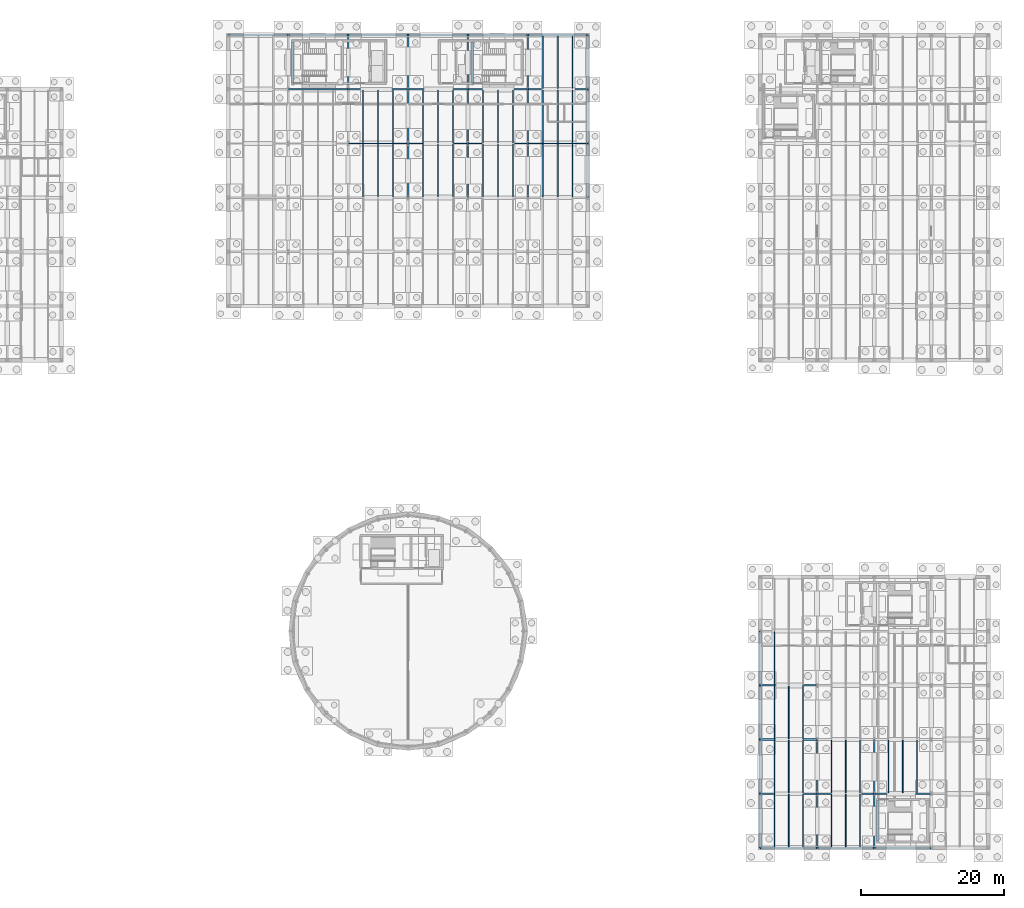
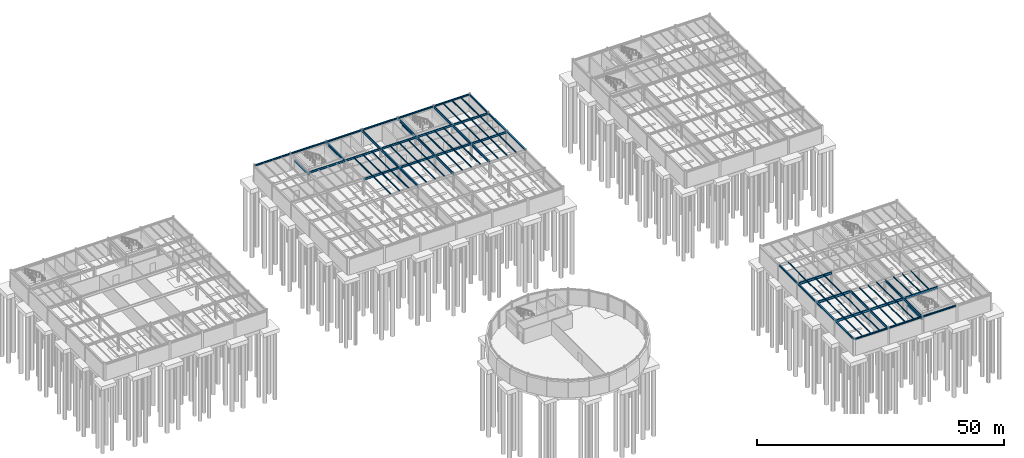
# One storey, part 21 of 33: 93 beams.
"""IFC4 building model written with IfcOpenShell, lengths in metres."""

from ifc_helpers import new_model, si_unit, direction, frame, origin, origin_2d, place, context, subcontext, project, spatial, rectangle, i_section, extrude, material, material_profile, profile_set, type_object, element, save


model = new_model("IFC4")

# Units and contexts
model_context = context("Model", 3, precision=1e-05, world=origin(), true_north=direction((0.0, 1.0)))
body_context = subcontext(model_context, "Body", "Model", "MODEL_VIEW")
ifc_project = project(units=[si_unit("LENGTHUNIT", "METRE"), si_unit("AREAUNIT", "SQUARE_METRE"), si_unit("VOLUMEUNIT", "CUBIC_METRE"), si_unit("PLANEANGLEUNIT", "RADIAN"), si_unit("MASSUNIT", "GRAM", prefix="KILO")], contexts=[model_context])

# Site, building, storey
site_placement = place(None, origin())
site = spatial("IfcSite", under=ifc_project, at=site_placement, CompositionType="ELEMENT")
building_placement = place(site_placement, origin())
building = spatial("IfcBuilding", under=site, at=building_placement, Name="Montecoro Central Library", CompositionType="ELEMENT")
storey_placement = place(building_placement, frame((0.0, 0.0, -4.419921875)))
storey = spatial("IfcBuildingStorey", under=building, at=storey_placement, Name="B1", CompositionType="ELEMENT", Elevation=-4.419921875)

# Beams
ifc_material_1 = material(Name="Steel S355", Category="steel")
ifc_material_profile_1 = material_profile(ifc_material_1, i_section(OverallWidth=0.199951171875, OverallDepth=0.5, WebThickness=0.01025390625, FlangeThickness=0.01611328125, at=origin_2d()), Name="IPE 500")
ifc_profile_set_1 = profile_set([ifc_material_profile_1], Name="Steel S355")
beam_type_1 = type_object("IfcBeamType", Name="BM-G-IPE500", PredefinedType="USERDEFINED", material=ifc_profile_set_1)
beam_1_placement = place(storey_placement, frame((83.205078125, 103.800048828125, 3.9150390625), z_axis=(1.0, 0.0, 0.0), x_axis=(0.0, 1.0, 0.0)))
element("IfcBeam", 1, at=beam_1_placement, inside=storey, type_object=beam_type_1, Name="V2-B1-BX-1112-P", ObjectType="GIRDER", PredefinedType="USERDEFINED", context=body_context, shape_type="SweptSolid", body=[
    extrude(i_section(OverallWidth=0.199951171875, OverallDepth=0.5, WebThickness=0.01025390625, FlangeThickness=0.01611328125, at=origin_2d()), origin(), (0.0, 0.0, 1.0), 8.389892578125),
])
for number, where, z_axis, x_axis, name in (
    (2, (91.60498046875, 103.800048828125, 3.9150390625), (1.0, 0.0, 0.0), (0.0, 1.0, 0.0), "V2-B1-BX-1213-P"),
    (3, (100.0048828125, 103.800048828125, 3.9150390625), (1.0, 0.0, 0.0), (0.0, 1.0, 0.0), "V2-B1-BX-1314-P"),
):
    element("IfcBeam", number, at=place(storey_placement, frame(where, z_axis=z_axis, x_axis=x_axis)), inside=storey, type_object=beam_type_1, Name=name, ObjectType="GIRDER", PredefinedType="USERDEFINED", context=body_context, shape_type="SweptSolid", body=[
        extrude(i_section(OverallWidth=0.199951171875, OverallDepth=0.5, WebThickness=0.01025390625, FlangeThickness=0.01611328125, at=origin_2d()), origin(), (0.0, 0.0, 1.0), 8.39013671875),
    ])
beam_2_placement = place(storey_placement, frame((108.405029296875, 103.800048828125, 3.9150390625), z_axis=(1.0, 0.0, 0.0), x_axis=(0.0, 1.0, 0.0)))
element("IfcBeam", 4, at=beam_2_placement, inside=storey, type_object=beam_type_1, Name="V2-B1-BX-1415-P", ObjectType="GIRDER", PredefinedType="USERDEFINED", context=body_context, shape_type="SweptSolid", body=[
    extrude(i_section(OverallWidth=0.199951171875, OverallDepth=0.5, WebThickness=0.01025390625, FlangeThickness=0.01611328125, at=origin_2d()), origin(), (0.0, 0.0, 1.0), 8.389892578125),
])
beam_3_placement = place(storey_placement, frame((74.804931640625, 111.39990234375, 3.9150390625), z_axis=(1.0, 0.0, 0.0), x_axis=(0.0, 1.0, 0.0)))
element("IfcBeam", 5, at=beam_3_placement, inside=storey, type_object=beam_type_1, Name="V2-B1-BX-1011-Q", ObjectType="GIRDER", PredefinedType="USERDEFINED", context=body_context, shape_type="SweptSolid", body=[
    extrude(i_section(OverallWidth=0.199951171875, OverallDepth=0.5, WebThickness=0.01025390625, FlangeThickness=0.01611328125, at=origin_2d()), origin(), (0.0, 0.0, 1.0), 8.39013671875),
])
beam_4_placement = place(storey_placement, frame((83.205078125, 111.39990234375, 3.9150390625), z_axis=(1.0, 0.0, 0.0), x_axis=(0.0, 1.0, 0.0)))
element("IfcBeam", 6, at=beam_4_placement, inside=storey, type_object=beam_type_1, Name="V2-B1-BX-1112-Q", ObjectType="GIRDER", PredefinedType="USERDEFINED", context=body_context, shape_type="SweptSolid", body=[
    extrude(i_section(OverallWidth=0.199951171875, OverallDepth=0.5, WebThickness=0.01025390625, FlangeThickness=0.01611328125, at=origin_2d()), origin(), (0.0, 0.0, 1.0), 8.389892578125),
])
for number, where, z_axis, x_axis, name in (
    (7, (91.60498046875, 111.39990234375, 3.9150390625), (1.0, 0.0, 0.0), (0.0, 1.0, 0.0), "V2-B1-BX-1213-Q"),
    (8, (100.0048828125, 111.39990234375, 3.9150390625), (1.0, 0.0, 0.0), (0.0, 1.0, 0.0), "V2-B1-BX-1314-Q"),
):
    element("IfcBeam", number, at=place(storey_placement, frame(where, z_axis=z_axis, x_axis=x_axis)), inside=storey, type_object=beam_type_1, Name=name, ObjectType="GIRDER", PredefinedType="USERDEFINED", context=body_context, shape_type="SweptSolid", body=[
        extrude(i_section(OverallWidth=0.199951171875, OverallDepth=0.5, WebThickness=0.01025390625, FlangeThickness=0.01611328125, at=origin_2d()), origin(), (0.0, 0.0, 1.0), 8.39013671875),
    ])
beam_5_placement = place(storey_placement, frame((108.405029296875, 111.39990234375, 3.9150390625), z_axis=(1.0, 0.0, 0.0), x_axis=(0.0, 1.0, 0.0)))
element("IfcBeam", 9, at=beam_5_placement, inside=storey, type_object=beam_type_1, Name="V2-B1-BX-1415-Q", ObjectType="GIRDER", PredefinedType="USERDEFINED", context=body_context, shape_type="SweptSolid", body=[
    extrude(i_section(OverallWidth=0.199951171875, OverallDepth=0.5, WebThickness=0.01025390625, FlangeThickness=0.01611328125, at=origin_2d()), origin(), (0.0, 0.0, 1.0), 8.389892578125),
])
ifc_material_2 = material(Name="Steel S355J2", Category="steel")
ifc_material_profile_2 = material_profile(ifc_material_2, i_section(OverallWidth=0.219970703125, OverallDepth=0.60009765625, WebThickness=0.011962890625, FlangeThickness=0.01904296875, at=origin_2d()), Name="IPE 600")
ifc_profile_set_2 = profile_set([ifc_material_profile_2], Name="Steel S355J2")
beam_type_2 = type_object("IfcBeamType", Name="BM-G-IPE600", PredefinedType="USERDEFINED", material=ifc_profile_set_2)
beam_6_placement = place(storey_placement, frame((83.199951171875, 111.405029296875, 3.864990234375), z_axis=(0.0, 1.0, 0.0), x_axis=(-1.0, 0.0, 0.0)))
element("IfcBeam", 10, at=beam_6_placement, inside=storey, type_object=beam_type_2, Name="V2-B1-BY-11-QR", ObjectType="GIRDER", PredefinedType="USERDEFINED", context=body_context, shape_type="SweptSolid", body=[
    extrude(i_section(OverallWidth=0.219970703125, OverallDepth=0.60009765625, WebThickness=0.011962890625, FlangeThickness=0.01904296875, at=origin_2d()), origin(), (0.0, 0.0, 1.0), 7.590087890625),
])
beam_7_placement = place(storey_placement, frame((91.60009765625, 96.205078125, 3.864990234375), z_axis=(0.0, 1.0, 0.0), x_axis=(-1.0, 0.0, 0.0)))
element("IfcBeam", 11, at=beam_7_placement, inside=storey, type_object=beam_type_2, Name="V2-B1-BY-12-NP", ObjectType="GIRDER", PredefinedType="USERDEFINED", context=body_context, shape_type="SweptSolid", body=[
    extrude(i_section(OverallWidth=0.219970703125, OverallDepth=0.60009765625, WebThickness=0.011962890625, FlangeThickness=0.01904296875, at=origin_2d()), origin(), (0.0, 0.0, 1.0), 7.58984375),
])
for number, where, z_axis, x_axis, name in (
    (12, (91.60009765625, 103.804931640625, 3.864990234375), (0.0, 1.0, 0.0), (-1.0, 0.0, 0.0), "V2-B1-BY-12-PQ"),
    (13, (91.60009765625, 111.405029296875, 3.864990234375), (0.0, 1.0, 0.0), (-1.0, 0.0, 0.0), "V2-B1-BY-12-QR"),
):
    element("IfcBeam", number, at=place(storey_placement, frame(where, z_axis=z_axis, x_axis=x_axis)), inside=storey, type_object=beam_type_2, Name=name, ObjectType="GIRDER", PredefinedType="USERDEFINED", context=body_context, shape_type="SweptSolid", body=[
        extrude(i_section(OverallWidth=0.219970703125, OverallDepth=0.60009765625, WebThickness=0.011962890625, FlangeThickness=0.01904296875, at=origin_2d()), origin(), (0.0, 0.0, 1.0), 7.590087890625),
    ])
beam_8_placement = place(storey_placement, frame((100.0, 96.205078125, 3.864990234375), z_axis=(0.0, 1.0, 0.0), x_axis=(-1.0, 0.0, 0.0)))
element("IfcBeam", 14, at=beam_8_placement, inside=storey, type_object=beam_type_2, Name="V2-B1-BY-13-NP", ObjectType="GIRDER", PredefinedType="USERDEFINED", context=body_context, shape_type="SweptSolid", body=[
    extrude(i_section(OverallWidth=0.219970703125, OverallDepth=0.60009765625, WebThickness=0.011962890625, FlangeThickness=0.01904296875, at=origin_2d()), origin(), (0.0, 0.0, 1.0), 7.58984375),
])
for number, where, z_axis, x_axis, name in (
    (15, (100.0, 103.804931640625, 3.864990234375), (0.0, 1.0, 0.0), (-1.0, 0.0, 0.0), "V2-B1-BY-13-PQ"),
    (16, (100.0, 111.405029296875, 3.864990234375), (0.0, 1.0, 0.0), (-1.0, 0.0, 0.0), "V2-B1-BY-13-QR"),
):
    element("IfcBeam", number, at=place(storey_placement, frame(where, z_axis=z_axis, x_axis=x_axis)), inside=storey, type_object=beam_type_2, Name=name, ObjectType="GIRDER", PredefinedType="USERDEFINED", context=body_context, shape_type="SweptSolid", body=[
        extrude(i_section(OverallWidth=0.219970703125, OverallDepth=0.60009765625, WebThickness=0.011962890625, FlangeThickness=0.01904296875, at=origin_2d()), origin(), (0.0, 0.0, 1.0), 7.590087890625),
    ])
beam_9_placement = place(storey_placement, frame((108.39990234375, 96.205078125, 3.864990234375), z_axis=(0.0, 1.0, 0.0), x_axis=(-1.0, 0.0, 0.0)))
element("IfcBeam", 17, at=beam_9_placement, inside=storey, type_object=beam_type_2, Name="V2-B1-BY-14-NP", ObjectType="GIRDER", PredefinedType="USERDEFINED", context=body_context, shape_type="SweptSolid", body=[
    extrude(i_section(OverallWidth=0.219970703125, OverallDepth=0.60009765625, WebThickness=0.011962890625, FlangeThickness=0.01904296875, at=origin_2d()), origin(), (0.0, 0.0, 1.0), 7.58984375),
])
for number, where, z_axis, x_axis, name in (
    (18, (108.39990234375, 103.804931640625, 3.864990234375), (0.0, 1.0, 0.0), (-1.0, 0.0, 0.0), "V2-B1-BY-14-PQ"),
    (19, (108.39990234375, 111.405029296875, 3.864990234375), (0.0, 1.0, 0.0), (-1.0, 0.0, 0.0), "V2-B1-BY-14-QR"),
):
    element("IfcBeam", number, at=place(storey_placement, frame(where, z_axis=z_axis, x_axis=x_axis)), inside=storey, type_object=beam_type_2, Name=name, ObjectType="GIRDER", PredefinedType="USERDEFINED", context=body_context, shape_type="SweptSolid", body=[
        extrude(i_section(OverallWidth=0.219970703125, OverallDepth=0.60009765625, WebThickness=0.011962890625, FlangeThickness=0.01904296875, at=origin_2d()), origin(), (0.0, 0.0, 1.0), 7.590087890625),
    ])
for number, where, z_axis, x_axis, name in (
    (20, (141.0048828125, 12.60009765625, 3.864990234375), (1.0, 0.0, 0.0), (0.0, 1.0, 0.0), "V6-B1-BX-1819-B"),
    (21, (149.0048828125, 12.60009765625, 3.864990234375), (1.0, 0.0, 0.0), (0.0, 1.0, 0.0), "V6-B1-BX-1920-B"),
    (22, (157.0048828125, 12.60009765625, 3.864990234375), (1.0, 0.0, 0.0), (0.0, 1.0, 0.0), "V6-B1-BX-2021-B"),
    (23, (141.0048828125, 20.199951171875, 3.864990234375), (1.0, 0.0, 0.0), (0.0, 1.0, 0.0), "V6-B1-BX-1819-C"),
    (24, (141.0048828125, 27.800048828125, 3.864990234375), (1.0, 0.0, 0.0), (0.0, 1.0, 0.0), "V6-B1-BX-1819-D"),
):
    element("IfcBeam", number, at=place(storey_placement, frame(where, z_axis=z_axis, x_axis=x_axis)), inside=storey, type_object=beam_type_2, Name=name, ObjectType="GIRDER", PredefinedType="USERDEFINED", context=body_context, shape_type="SweptSolid", body=[
        extrude(i_section(OverallWidth=0.219970703125, OverallDepth=0.60009765625, WebThickness=0.011962890625, FlangeThickness=0.01904296875, at=origin_2d()), origin(), (0.0, 0.0, 1.0), 7.990234375),
    ])
for number, where, z_axis, x_axis, name in (
    (25, (149.0, 5.0048828125, 3.864990234375), (0.0, 1.0, 0.0), (-1.0, 0.0, 0.0), "V6-B1-BY-19-AB"),
    (26, (149.0, 12.60498046875, 3.864990234375), (0.0, 1.0, 0.0), (-1.0, 0.0, 0.0), "V6-B1-BY-19-BC"),
    (27, (157.0, 5.0048828125, 3.864990234375), (0.0, 1.0, 0.0), (-1.0, 0.0, 0.0), "V6-B1-BY-20-AB"),
    (28, (157.0, 12.60498046875, 3.864990234375), (0.0, 1.0, 0.0), (-1.0, 0.0, 0.0), "V6-B1-BY-20-BC"),
):
    element("IfcBeam", number, at=place(storey_placement, frame(where, z_axis=z_axis, x_axis=x_axis)), inside=storey, type_object=beam_type_2, Name=name, ObjectType="GIRDER", PredefinedType="USERDEFINED", context=body_context, shape_type="SweptSolid", body=[
        extrude(i_section(OverallWidth=0.219970703125, OverallDepth=0.60009765625, WebThickness=0.011962890625, FlangeThickness=0.01904296875, at=origin_2d()), origin(), (0.0, 0.0, 1.0), 7.590087890625),
    ])
ifc_material_profile_3 = material_profile(ifc_material_1, i_section(OverallWidth=0.10009765625, OverallDepth=0.199951171875, WebThickness=0.005615234375, FlangeThickness=0.008544921875, at=origin_2d()), Name="IPE 200")
ifc_profile_set_3 = profile_set([ifc_material_profile_3], Name="Steel S355")
beam_type_3 = type_object("IfcBeamType", Name="BM-J-IPE200", PredefinedType="JOIST", material=ifc_profile_set_3)
for number, where, z_axis, x_axis, name in (
    (29, (143.0, 5.14697265625, 4.06494140625), (0.0, 1.0, 0.0), (-1.0, 0.0, 0.0), "V6-B1-JS-1819-AB-1"),
    (30, (145.0, 5.14697265625, 4.06494140625), (0.0, 1.0, 0.0), (-1.0, 0.0, 0.0), "V6-B1-JS-1819-AB-2"),
    (31, (147.0, 5.14697265625, 4.06494140625), (0.0, 1.0, 0.0), (-1.0, 0.0, 0.0), "V6-B1-JS-1819-AB-3"),
):
    element("IfcBeam", number, at=place(storey_placement, frame(where, z_axis=z_axis, x_axis=x_axis)), inside=storey, type_object=beam_type_3, Name=name, PredefinedType="JOIST", context=body_context, shape_type="SweptSolid", body=[
        extrude(i_section(OverallWidth=0.10009765625, OverallDepth=0.199951171875, WebThickness=0.005615234375, FlangeThickness=0.008544921875, at=origin_2d()), origin(), (0.0, 0.0, 1.0), 7.345947265625),
    ])
for number, where, z_axis, x_axis, name in (
    (32, (143.0, 12.70703125, 4.06494140625), (0.0, 1.0, 0.0), (-1.0, 0.0, 0.0), "V6-B1-JS-1819-BC-1"),
    (33, (145.0, 12.70703125, 4.06494140625), (0.0, 1.0, 0.0), (-1.0, 0.0, 0.0), "V6-B1-JS-1819-BC-2"),
    (34, (147.0, 12.70703125, 4.06494140625), (0.0, 1.0, 0.0), (-1.0, 0.0, 0.0), "V6-B1-JS-1819-BC-3"),
):
    element("IfcBeam", number, at=place(storey_placement, frame(where, z_axis=z_axis, x_axis=x_axis)), inside=storey, type_object=beam_type_3, Name=name, PredefinedType="JOIST", context=body_context, shape_type="SweptSolid", body=[
        extrude(i_section(OverallWidth=0.10009765625, OverallDepth=0.199951171875, WebThickness=0.005615234375, FlangeThickness=0.008544921875, at=origin_2d()), origin(), (0.0, 0.0, 1.0), 7.385986328125),
    ])
for number, where, z_axis, x_axis, name in (
    (35, (143.0, 20.306884765625, 4.06494140625), (0.0, 1.0, 0.0), (-1.0, 0.0, 0.0), "V6-B1-JS-1819-CD-1"),
    (36, (145.0, 20.306884765625, 4.06494140625), (0.0, 1.0, 0.0), (-1.0, 0.0, 0.0), "V6-B1-JS-1819-CD-2"),
    (37, (147.0, 20.306884765625, 4.06494140625), (0.0, 1.0, 0.0), (-1.0, 0.0, 0.0), "V6-B1-JS-1819-CD-3"),
):
    element("IfcBeam", number, at=place(storey_placement, frame(where, z_axis=z_axis, x_axis=x_axis)), inside=storey, type_object=beam_type_3, Name=name, PredefinedType="JOIST", context=body_context, shape_type="SweptSolid", body=[
        extrude(i_section(OverallWidth=0.10009765625, OverallDepth=0.199951171875, WebThickness=0.005615234375, FlangeThickness=0.008544921875, at=origin_2d()), origin(), (0.0, 0.0, 1.0), 7.38623046875),
    ])
beam_10_placement = place(storey_placement, frame((143.0, 27.906982421875, 4.06494140625), z_axis=(0.0, 1.0, 0.0), x_axis=(-1.0, 0.0, 0.0)))
element("IfcBeam", 38, at=beam_10_placement, inside=storey, type_object=beam_type_3, Name="V6-B1-JS-1819-DE-1", PredefinedType="JOIST", context=body_context, shape_type="SweptSolid", body=[
    extrude(i_section(OverallWidth=0.10009765625, OverallDepth=0.199951171875, WebThickness=0.005615234375, FlangeThickness=0.008544921875, at=origin_2d()), origin(), (0.0, 0.0, 1.0), 7.385986328125),
])
for number, where, z_axis, x_axis, name in (
    (39, (151.0, 5.14697265625, 4.06494140625), (0.0, 1.0, 0.0), (-1.0, 0.0, 0.0), "V6-B1-JS-1920-AB-1"),
    (40, (153.0, 5.14697265625, 4.06494140625), (0.0, 1.0, 0.0), (-1.0, 0.0, 0.0), "V6-B1-JS-1920-AB-2"),
    (41, (155.0, 5.14697265625, 4.06494140625), (0.0, 1.0, 0.0), (-1.0, 0.0, 0.0), "V6-B1-JS-1920-AB-3"),
):
    element("IfcBeam", number, at=place(storey_placement, frame(where, z_axis=z_axis, x_axis=x_axis)), inside=storey, type_object=beam_type_3, Name=name, PredefinedType="JOIST", context=body_context, shape_type="SweptSolid", body=[
        extrude(i_section(OverallWidth=0.10009765625, OverallDepth=0.199951171875, WebThickness=0.005615234375, FlangeThickness=0.008544921875, at=origin_2d()), origin(), (0.0, 0.0, 1.0), 7.345947265625),
    ])
for number, where, z_axis, x_axis, name in (
    (42, (151.0, 12.70703125, 4.06494140625), (0.0, 1.0, 0.0), (-1.0, 0.0, 0.0), "V6-B1-JS-1920-BC-1"),
    (43, (153.0, 12.70703125, 4.06494140625), (0.0, 1.0, 0.0), (-1.0, 0.0, 0.0), "V6-B1-JS-1920-BC-2"),
    (44, (155.0, 12.70703125, 4.06494140625), (0.0, 1.0, 0.0), (-1.0, 0.0, 0.0), "V6-B1-JS-1920-BC-3"),
    (45, (159.0, 12.70703125, 4.06494140625), (0.0, 1.0, 0.0), (-1.0, 0.0, 0.0), "V6-B1-JS-2021-BC-1"),
    (46, (161.0, 12.70703125, 4.06494140625), (0.0, 1.0, 0.0), (-1.0, 0.0, 0.0), "V6-B1-JS-2021-BC-2"),
    (47, (163.0, 12.70703125, 4.06494140625), (0.0, 1.0, 0.0), (-1.0, 0.0, 0.0), "V6-B1-JS-2021-BC-3"),
):
    element("IfcBeam", number, at=place(storey_placement, frame(where, z_axis=z_axis, x_axis=x_axis)), inside=storey, type_object=beam_type_3, Name=name, PredefinedType="JOIST", context=body_context, shape_type="SweptSolid", body=[
        extrude(i_section(OverallWidth=0.10009765625, OverallDepth=0.199951171875, WebThickness=0.005615234375, FlangeThickness=0.008544921875, at=origin_2d()), origin(), (0.0, 0.0, 1.0), 7.385986328125),
    ])
ifc_material_profile_4 = material_profile(ifc_material_1, i_section(OverallWidth=0.14990234375, OverallDepth=0.300048828125, WebThickness=0.007080078125, FlangeThickness=0.0107421875, at=origin_2d()), Name="IPE 300")
ifc_profile_set_4 = profile_set([ifc_material_profile_4], Name="Steel S355")
beam_type_4 = type_object("IfcBeamType", Name="BM-J-IPE300", PredefinedType="JOIST", material=ifc_profile_set_4)
for number, where, z_axis, x_axis, name in (
    (48, (85.300048828125, 96.297119140625, 4.014892578125), (0.0, 1.0, 0.0), (-1.0, 0.0, 0.0), "V2-B1-JS-1112-NP-1"),
    (49, (87.39990234375, 96.297119140625, 4.014892578125), (0.0, 1.0, 0.0), (-1.0, 0.0, 0.0), "V2-B1-JS-1112-NP-2"),
    (50, (89.5, 96.297119140625, 4.014892578125), (0.0, 1.0, 0.0), (-1.0, 0.0, 0.0), "V2-B1-JS-1112-NP-3"),
):
    element("IfcBeam", number, at=place(storey_placement, frame(where, z_axis=z_axis, x_axis=x_axis)), inside=storey, type_object=beam_type_4, Name=name, PredefinedType="JOIST", context=body_context, shape_type="SweptSolid", body=[
        extrude(i_section(OverallWidth=0.14990234375, OverallDepth=0.300048828125, WebThickness=0.007080078125, FlangeThickness=0.0107421875, at=origin_2d()), origin(), (0.0, 0.0, 1.0), 7.40576171875),
    ])
for number, where, z_axis, x_axis, name in (
    (51, (85.300048828125, 103.89697265625, 4.014892578125), (0.0, 1.0, 0.0), (-1.0, 0.0, 0.0), "V2-B1-JS-1112-PQ-1"),
    (52, (87.39990234375, 103.89697265625, 4.014892578125), (0.0, 1.0, 0.0), (-1.0, 0.0, 0.0), "V2-B1-JS-1112-PQ-2"),
    (53, (89.5, 103.89697265625, 4.014892578125), (0.0, 1.0, 0.0), (-1.0, 0.0, 0.0), "V2-B1-JS-1112-PQ-3"),
):
    element("IfcBeam", number, at=place(storey_placement, frame(where, z_axis=z_axis, x_axis=x_axis)), inside=storey, type_object=beam_type_4, Name=name, PredefinedType="JOIST", context=body_context, shape_type="SweptSolid", body=[
        extrude(i_section(OverallWidth=0.14990234375, OverallDepth=0.300048828125, WebThickness=0.007080078125, FlangeThickness=0.0107421875, at=origin_2d()), origin(), (0.0, 0.0, 1.0), 7.406005859375),
    ])
for number, where, z_axis, x_axis, name in (
    (54, (93.699951171875, 96.297119140625, 4.014892578125), (0.0, 1.0, 0.0), (-1.0, 0.0, 0.0), "V2-B1-JS-1213-NP-1"),
    (55, (95.800048828125, 96.297119140625, 4.014892578125), (0.0, 1.0, 0.0), (-1.0, 0.0, 0.0), "V2-B1-JS-1213-NP-2"),
    (56, (97.89990234375, 96.297119140625, 4.014892578125), (0.0, 1.0, 0.0), (-1.0, 0.0, 0.0), "V2-B1-JS-1213-NP-3"),
):
    element("IfcBeam", number, at=place(storey_placement, frame(where, z_axis=z_axis, x_axis=x_axis)), inside=storey, type_object=beam_type_4, Name=name, PredefinedType="JOIST", context=body_context, shape_type="SweptSolid", body=[
        extrude(i_section(OverallWidth=0.14990234375, OverallDepth=0.300048828125, WebThickness=0.007080078125, FlangeThickness=0.0107421875, at=origin_2d()), origin(), (0.0, 0.0, 1.0), 7.40576171875),
    ])
for number, where, z_axis, x_axis, name in (
    (57, (93.699951171875, 103.89697265625, 4.014892578125), (0.0, 1.0, 0.0), (-1.0, 0.0, 0.0), "V2-B1-JS-1213-PQ-1"),
    (58, (95.800048828125, 103.89697265625, 4.014892578125), (0.0, 1.0, 0.0), (-1.0, 0.0, 0.0), "V2-B1-JS-1213-PQ-2"),
    (59, (97.89990234375, 103.89697265625, 4.014892578125), (0.0, 1.0, 0.0), (-1.0, 0.0, 0.0), "V2-B1-JS-1213-PQ-3"),
):
    element("IfcBeam", number, at=place(storey_placement, frame(where, z_axis=z_axis, x_axis=x_axis)), inside=storey, type_object=beam_type_4, Name=name, PredefinedType="JOIST", context=body_context, shape_type="SweptSolid", body=[
        extrude(i_section(OverallWidth=0.14990234375, OverallDepth=0.300048828125, WebThickness=0.007080078125, FlangeThickness=0.0107421875, at=origin_2d()), origin(), (0.0, 0.0, 1.0), 7.406005859375),
    ])
for number, where, z_axis, x_axis, name in (
    (60, (102.10009765625, 96.297119140625, 4.014892578125), (0.0, 1.0, 0.0), (-1.0, 0.0, 0.0), "V2-B1-JS-1314-NP-1"),
    (61, (104.199951171875, 96.297119140625, 4.014892578125), (0.0, 1.0, 0.0), (-1.0, 0.0, 0.0), "V2-B1-JS-1314-NP-2"),
    (62, (106.300048828125, 96.297119140625, 4.014892578125), (0.0, 1.0, 0.0), (-1.0, 0.0, 0.0), "V2-B1-JS-1314-NP-3"),
):
    element("IfcBeam", number, at=place(storey_placement, frame(where, z_axis=z_axis, x_axis=x_axis)), inside=storey, type_object=beam_type_4, Name=name, PredefinedType="JOIST", context=body_context, shape_type="SweptSolid", body=[
        extrude(i_section(OverallWidth=0.14990234375, OverallDepth=0.300048828125, WebThickness=0.007080078125, FlangeThickness=0.0107421875, at=origin_2d()), origin(), (0.0, 0.0, 1.0), 7.40576171875),
    ])
for number, where, z_axis, x_axis, name in (
    (63, (102.10009765625, 103.89697265625, 4.014892578125), (0.0, 1.0, 0.0), (-1.0, 0.0, 0.0), "V2-B1-JS-1314-PQ-1"),
    (64, (104.199951171875, 103.89697265625, 4.014892578125), (0.0, 1.0, 0.0), (-1.0, 0.0, 0.0), "V2-B1-JS-1314-PQ-2"),
    (65, (106.300048828125, 103.89697265625, 4.014892578125), (0.0, 1.0, 0.0), (-1.0, 0.0, 0.0), "V2-B1-JS-1314-PQ-3"),
):
    element("IfcBeam", number, at=place(storey_placement, frame(where, z_axis=z_axis, x_axis=x_axis)), inside=storey, type_object=beam_type_4, Name=name, PredefinedType="JOIST", context=body_context, shape_type="SweptSolid", body=[
        extrude(i_section(OverallWidth=0.14990234375, OverallDepth=0.300048828125, WebThickness=0.007080078125, FlangeThickness=0.0107421875, at=origin_2d()), origin(), (0.0, 0.0, 1.0), 7.406005859375),
    ])
for number, where, z_axis, x_axis, name in (
    (66, (110.5, 96.297119140625, 4.014892578125), (0.0, 1.0, 0.0), (-1.0, 0.0, 0.0), "V2-B1-JS-1415-NP-1"),
    (67, (112.60009765625, 96.297119140625, 4.014892578125), (0.0, 1.0, 0.0), (-1.0, 0.0, 0.0), "V2-B1-JS-1415-NP-2"),
    (68, (114.699951171875, 96.297119140625, 4.014892578125), (0.0, 1.0, 0.0), (-1.0, 0.0, 0.0), "V2-B1-JS-1415-NP-3"),
):
    element("IfcBeam", number, at=place(storey_placement, frame(where, z_axis=z_axis, x_axis=x_axis)), inside=storey, type_object=beam_type_4, Name=name, PredefinedType="JOIST", context=body_context, shape_type="SweptSolid", body=[
        extrude(i_section(OverallWidth=0.14990234375, OverallDepth=0.300048828125, WebThickness=0.007080078125, FlangeThickness=0.0107421875, at=origin_2d()), origin(), (0.0, 0.0, 1.0), 7.40576171875),
    ])
for number, where, z_axis, x_axis, name in (
    (69, (110.5, 103.89697265625, 4.014892578125), (0.0, 1.0, 0.0), (-1.0, 0.0, 0.0), "V2-B1-JS-1415-PQ-1"),
    (70, (112.60009765625, 103.89697265625, 4.014892578125), (0.0, 1.0, 0.0), (-1.0, 0.0, 0.0), "V2-B1-JS-1415-PQ-2"),
    (71, (114.699951171875, 103.89697265625, 4.014892578125), (0.0, 1.0, 0.0), (-1.0, 0.0, 0.0), "V2-B1-JS-1415-PQ-3"),
):
    element("IfcBeam", number, at=place(storey_placement, frame(where, z_axis=z_axis, x_axis=x_axis)), inside=storey, type_object=beam_type_4, Name=name, PredefinedType="JOIST", context=body_context, shape_type="SweptSolid", body=[
        extrude(i_section(OverallWidth=0.14990234375, OverallDepth=0.300048828125, WebThickness=0.007080078125, FlangeThickness=0.0107421875, at=origin_2d()), origin(), (0.0, 0.0, 1.0), 7.406005859375),
    ])
for number, where, z_axis, x_axis, name in (
    (72, (110.5, 111.4970703125, 4.014892578125), (0.0, 1.0, 0.0), (-1.0, 0.0, 0.0), "V2-B1-JS-1415-QR-1"),
    (73, (112.60009765625, 111.4970703125, 4.014892578125), (0.0, 1.0, 0.0), (-1.0, 0.0, 0.0), "V2-B1-JS-1415-QR-2"),
    (74, (114.699951171875, 111.4970703125, 4.014892578125), (0.0, 1.0, 0.0), (-1.0, 0.0, 0.0), "V2-B1-JS-1415-QR-3"),
):
    element("IfcBeam", number, at=place(storey_placement, frame(where, z_axis=z_axis, x_axis=x_axis)), inside=storey, type_object=beam_type_4, Name=name, PredefinedType="JOIST", context=body_context, shape_type="SweptSolid", body=[
        extrude(i_section(OverallWidth=0.14990234375, OverallDepth=0.300048828125, WebThickness=0.007080078125, FlangeThickness=0.0107421875, at=origin_2d()), origin(), (0.0, 0.0, 1.0), 7.35595703125),
    ])
ifc_material_3 = material(Name="Concrete C35/45", Category="concrete")
ifc_material_profile_5 = material_profile(ifc_material_3, rectangle(XDim=0.300048828125, YDim=0.449951171875, at=origin_2d()), Name="RC LNT 450x300")
ifc_profile_set_5 = profile_set([ifc_material_profile_5], Name="Concrete C35/45")
beam_type_5 = type_object("IfcBeamType", Name="BM-LN-RC02", PredefinedType="LINTEL", material=ifc_profile_set_5)
beam_11_placement = place(storey_placement, frame((75.39990234375, 112.35009765625, 2.6748046875), z_axis=(0.0, 1.0, 0.0), x_axis=(-1.0, 0.0, 0.0)))
element("IfcBeam", 75, at=beam_11_placement, inside=storey, type_object=beam_type_5, Name="C2-B1-LNT", PredefinedType="LINTEL", context=body_context, shape_type="SweptSolid", body=[
    extrude(rectangle(XDim=0.300048828125, YDim=0.449951171875, at=origin_2d()), origin(), (0.0, 0.0, 1.0), 5.699951171875),
])
ifc_material_profile_6 = material_profile(ifc_material_3, rectangle(XDim=0.320068359375, YDim=0.5, at=origin_2d()), Name="RC LNT 500x320")
ifc_profile_set_6 = profile_set([ifc_material_profile_6], Name="Concrete C35/45")
beam_type_6 = type_object("IfcBeamType", Name="BM-LN-RC03", PredefinedType="LINTEL", material=ifc_profile_set_6)
beam_12_placement = place(storey_placement, frame((100.60009765625, 112.35009765625, 2.699951171875), z_axis=(0.0, 1.0, 0.0), x_axis=(-1.0, 0.0, 0.0)))
element("IfcBeam", 76, at=beam_12_placement, inside=storey, type_object=beam_type_6, Name="C3-B1-LNT", PredefinedType="LINTEL", context=body_context, shape_type="SweptSolid", body=[
    extrude(rectangle(XDim=0.320068359375, YDim=0.5, at=origin_2d()), origin(), (0.0, 0.0, 1.0), 5.699951171875),
])
ifc_material_profile_7 = material_profile(ifc_material_3, rectangle(XDim=0.3798828125, YDim=0.6201171875, at=origin_2d()), Name="RC LNT 620x380")
ifc_profile_set_7 = profile_set([ifc_material_profile_7], Name="Concrete C35/45")
beam_type_7 = type_object("IfcBeamType", Name="BM-LN-RC05", PredefinedType="LINTEL", material=ifc_profile_set_7)
beam_13_placement = place(storey_placement, frame((157.5, 5.949951171875, 2.760009765625), z_axis=(0.0, 1.0, 0.0), x_axis=(-1.0, 0.0, 0.0)))
element("IfcBeam", 77, at=beam_13_placement, inside=storey, type_object=beam_type_7, Name="C10-B1-LNT", PredefinedType="LINTEL", context=body_context, shape_type="SweptSolid", body=[
    extrude(rectangle(XDim=0.3798828125, YDim=0.6201171875, at=origin_2d()), origin(), (0.0, 0.0, 1.0), 5.699951171875),
])
ifc_material_profile_8 = material_profile(ifc_material_1, i_section(OverallWidth=0.300048828125, OverallDepth=0.330078125, WebThickness=0.009521484375, FlangeThickness=0.0166015625, at=origin_2d()), Name="HEA 340")
ifc_profile_set_8 = profile_set([ifc_material_profile_8], Name="Steel S355")
beam_type_8 = type_object("IfcBeamType", Name="BM-SP-HEA340", PredefinedType="SPANDREL", material=ifc_profile_set_8)
beam_14_placement = place(storey_placement, frame((66.405029296875, 119.0, 4.0), z_axis=(1.0, 0.0, 0.0), x_axis=(0.0, 1.0, 0.0)))
element("IfcBeam", 78, at=beam_14_placement, inside=storey, type_object=beam_type_8, Name="V2-B1-BX-910-R", PredefinedType="SPANDREL", context=body_context, shape_type="SweptSolid", body=[
    extrude(i_section(OverallWidth=0.300048828125, OverallDepth=0.330078125, WebThickness=0.009521484375, FlangeThickness=0.0166015625, at=origin_2d()), origin(), (0.0, 0.0, 1.0), 8.389892578125),
])
beam_15_placement = place(storey_placement, frame((74.804931640625, 119.0, 4.0), z_axis=(1.0, 0.0, 0.0), x_axis=(0.0, 1.0, 0.0)))
element("IfcBeam", 79, at=beam_15_placement, inside=storey, type_object=beam_type_8, Name="V2-B1-BX-1011-R", PredefinedType="SPANDREL", context=body_context, shape_type="SweptSolid", body=[
    extrude(i_section(OverallWidth=0.300048828125, OverallDepth=0.330078125, WebThickness=0.009521484375, FlangeThickness=0.0166015625, at=origin_2d()), origin(), (0.0, 0.0, 1.0), 8.39013671875),
])
beam_16_placement = place(storey_placement, frame((83.205078125, 119.0, 4.0), z_axis=(1.0, 0.0, 0.0), x_axis=(0.0, 1.0, 0.0)))
element("IfcBeam", 80, at=beam_16_placement, inside=storey, type_object=beam_type_8, Name="V2-B1-BX-1112-R", PredefinedType="SPANDREL", context=body_context, shape_type="SweptSolid", body=[
    extrude(i_section(OverallWidth=0.300048828125, OverallDepth=0.330078125, WebThickness=0.009521484375, FlangeThickness=0.0166015625, at=origin_2d()), origin(), (0.0, 0.0, 1.0), 8.389892578125),
])
for number, where, z_axis, x_axis, name in (
    (81, (91.60498046875, 119.0, 4.0), (1.0, 0.0, 0.0), (0.0, 1.0, 0.0), "V2-B1-BX-1213-R"),
    (82, (100.0048828125, 119.0, 4.0), (1.0, 0.0, 0.0), (0.0, 1.0, 0.0), "V2-B1-BX-1314-R"),
):
    element("IfcBeam", number, at=place(storey_placement, frame(where, z_axis=z_axis, x_axis=x_axis)), inside=storey, type_object=beam_type_8, Name=name, PredefinedType="SPANDREL", context=body_context, shape_type="SweptSolid", body=[
        extrude(i_section(OverallWidth=0.300048828125, OverallDepth=0.330078125, WebThickness=0.009521484375, FlangeThickness=0.0166015625, at=origin_2d()), origin(), (0.0, 0.0, 1.0), 8.39013671875),
    ])
beam_17_placement = place(storey_placement, frame((108.405029296875, 119.0, 4.0), z_axis=(1.0, 0.0, 0.0), x_axis=(0.0, 1.0, 0.0)))
element("IfcBeam", 83, at=beam_17_placement, inside=storey, type_object=beam_type_8, Name="V2-B1-BX-1415-R", PredefinedType="SPANDREL", context=body_context, shape_type="SweptSolid", body=[
    extrude(i_section(OverallWidth=0.300048828125, OverallDepth=0.330078125, WebThickness=0.009521484375, FlangeThickness=0.0166015625, at=origin_2d()), origin(), (0.0, 0.0, 1.0), 8.389892578125),
])
beam_18_placement = place(storey_placement, frame((116.800048828125, 96.205078125, 4.0), z_axis=(0.0, 1.0, 0.0), x_axis=(-1.0, 0.0, 0.0)))
element("IfcBeam", 84, at=beam_18_placement, inside=storey, type_object=beam_type_8, Name="V2-B1-BY-15-NP", PredefinedType="SPANDREL", context=body_context, shape_type="SweptSolid", body=[
    extrude(i_section(OverallWidth=0.300048828125, OverallDepth=0.330078125, WebThickness=0.009521484375, FlangeThickness=0.0166015625, at=origin_2d()), origin(), (0.0, 0.0, 1.0), 7.58984375),
])
for number, where, z_axis, x_axis, name in (
    (85, (116.800048828125, 103.804931640625, 4.0), (0.0, 1.0, 0.0), (-1.0, 0.0, 0.0), "V2-B1-BY-15-PQ"),
    (86, (116.800048828125, 111.405029296875, 4.0), (0.0, 1.0, 0.0), (-1.0, 0.0, 0.0), "V2-B1-BY-15-QR"),
):
    element("IfcBeam", number, at=place(storey_placement, frame(where, z_axis=z_axis, x_axis=x_axis)), inside=storey, type_object=beam_type_8, Name=name, PredefinedType="SPANDREL", context=body_context, shape_type="SweptSolid", body=[
        extrude(i_section(OverallWidth=0.300048828125, OverallDepth=0.330078125, WebThickness=0.009521484375, FlangeThickness=0.0166015625, at=origin_2d()), origin(), (0.0, 0.0, 1.0), 7.590087890625),
    ])
for number, where, z_axis, x_axis, name in (
    (87, (141.0048828125, 5.0, 4.0), (1.0, 0.0, 0.0), (0.0, 1.0, 0.0), "V6-B1-BX-1819-A"),
    (88, (149.0048828125, 5.0, 4.0), (1.0, 0.0, 0.0), (0.0, 1.0, 0.0), "V6-B1-BX-1920-A"),
    (89, (157.0048828125, 5.0, 4.0), (1.0, 0.0, 0.0), (0.0, 1.0, 0.0), "V6-B1-BX-2021-A"),
):
    element("IfcBeam", number, at=place(storey_placement, frame(where, z_axis=z_axis, x_axis=x_axis)), inside=storey, type_object=beam_type_8, Name=name, PredefinedType="SPANDREL", context=body_context, shape_type="SweptSolid", body=[
        extrude(i_section(OverallWidth=0.300048828125, OverallDepth=0.330078125, WebThickness=0.009521484375, FlangeThickness=0.0166015625, at=origin_2d()), origin(), (0.0, 0.0, 1.0), 7.990234375),
    ])
for number, where, z_axis, x_axis, name in (
    (90, (141.0, 5.0048828125, 4.0), (0.0, 1.0, 0.0), (-1.0, 0.0, 0.0), "V6-B1-BY-18-AB"),
    (91, (141.0, 12.60498046875, 4.0), (0.0, 1.0, 0.0), (-1.0, 0.0, 0.0), "V6-B1-BY-18-BC"),
):
    element("IfcBeam", number, at=place(storey_placement, frame(where, z_axis=z_axis, x_axis=x_axis)), inside=storey, type_object=beam_type_8, Name=name, PredefinedType="SPANDREL", context=body_context, shape_type="SweptSolid", body=[
        extrude(i_section(OverallWidth=0.300048828125, OverallDepth=0.330078125, WebThickness=0.009521484375, FlangeThickness=0.0166015625, at=origin_2d()), origin(), (0.0, 0.0, 1.0), 7.590087890625),
    ])
beam_19_placement = place(storey_placement, frame((141.0, 20.205078125, 4.0), z_axis=(0.0, 1.0, 0.0), x_axis=(-1.0, 0.0, 0.0)))
element("IfcBeam", 92, at=beam_19_placement, inside=storey, type_object=beam_type_8, Name="V6-B1-BY-18-CD", PredefinedType="SPANDREL", context=body_context, shape_type="SweptSolid", body=[
    extrude(i_section(OverallWidth=0.300048828125, OverallDepth=0.330078125, WebThickness=0.009521484375, FlangeThickness=0.0166015625, at=origin_2d()), origin(), (0.0, 0.0, 1.0), 7.58984375),
])
beam_20_placement = place(storey_placement, frame((141.0, 27.804931640625, 4.0), z_axis=(0.0, 1.0, 0.0), x_axis=(-1.0, 0.0, 0.0)))
element("IfcBeam", 93, at=beam_20_placement, inside=storey, type_object=beam_type_8, Name="V6-B1-BY-18-DE", PredefinedType="SPANDREL", context=body_context, shape_type="SweptSolid", body=[
    extrude(i_section(OverallWidth=0.300048828125, OverallDepth=0.330078125, WebThickness=0.009521484375, FlangeThickness=0.0166015625, at=origin_2d()), origin(), (0.0, 0.0, 1.0), 7.590087890625),
])

save(model, "model.ifc")
